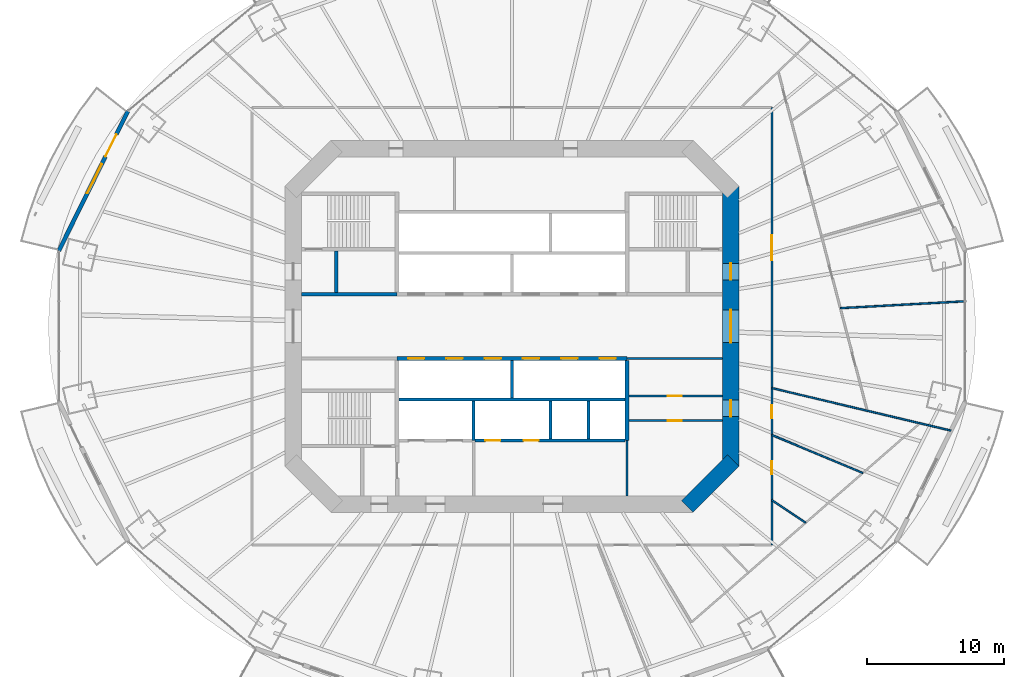
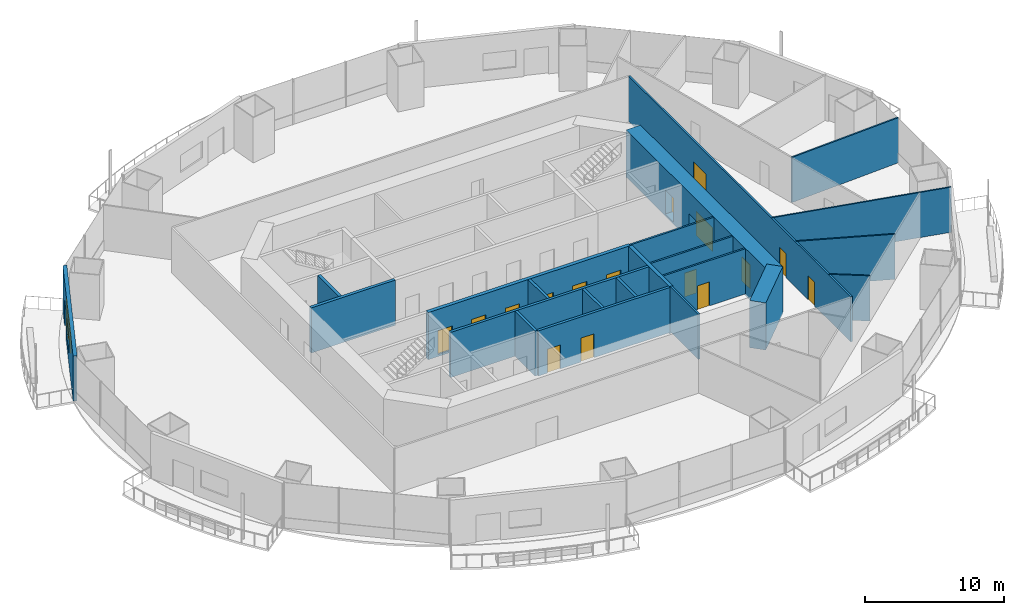
# One storey, part 14 of 21: 22 walls, 17 doors, 1 window, 18 openings.
"""IFC4 building model written with IfcOpenShell, lengths in metres."""

from ifc_helpers import new_model, si_unit, direction, frame, frame_2d, origin, place, context, subcontext, project, spatial, rectangle, extrude, material, layer, layer_set, type_object, element, fill, save


model = new_model("IFC4")

# Units and contexts
model_context = context("Model", 3, precision=1e-05, world=origin(), true_north=direction((0.0, 1.0)))
body_context = subcontext(model_context, "Body", "Model", "MODEL_VIEW")
ifc_project = project(units=[si_unit("LENGTHUNIT", "METRE"), si_unit("AREAUNIT", "SQUARE_METRE"), si_unit("VOLUMEUNIT", "CUBIC_METRE"), si_unit("PLANEANGLEUNIT", "RADIAN"), si_unit("MASSUNIT", "GRAM", prefix="KILO")], contexts=[model_context])

# Site, building, storey
site_placement = place(None, origin())
site = spatial("IfcSite", under=ifc_project, at=site_placement, CompositionType="ELEMENT")
building_placement = place(site_placement, origin())
building = spatial("IfcBuilding", under=site, at=building_placement, Name="Marenthal Gate Tower", CompositionType="ELEMENT")
storey_placement = place(building_placement, frame((0.0, 0.0, 124.300048828125)))
storey = spatial("IfcBuildingStorey", under=building, at=storey_placement, Name="L26", CompositionType="ELEMENT", Elevation=124.300048828125)

# Wall
ifc_material_1 = material(Name="Concrete 60 MPa", Category="concrete")
ifc_layer_1 = layer(ifc_material_1, 1.199951171875)
ifc_layer_set_1 = layer_set([ifc_layer_1], Name="Core shear wall 1200")
wall_type_1 = type_object("IfcWallType", Name="Core shear wall 1200", PredefinedType="SHEAR", material=ifc_layer_set_1)
wall_1_placement = place(storey_placement, frame((12.82421875, -13.17578125, -0.179931640625), z_axis=(0.0, 0.0, 1.0), x_axis=(0.707106781187, 0.707106781187, 0.0)))
element("IfcWall", 1, at=wall_1_placement, inside=storey, type_object=wall_type_1, Name="Core wall 01", PredefinedType="SHEAR", context=body_context, shape_type="SweptSolid", body=[
    extrude(rectangle(XDim=4.73974609375, YDim=1.199951171875, at=frame_2d((2.369873046875, 0.0))), origin(), (0.0, 0.0, 1.0), 4.14990234375),
])

# Wall, openings, doors
wall_2_placement = place(storey_placement, frame((16.0, -10.24853515625, -0.179931640625), z_axis=(0.0, 0.0, 1.0), x_axis=(0.0, 1.0, 0.0)))
wall_2 = element("IfcWall", 2, at=wall_2_placement, inside=storey, type_object=wall_type_1, Name="Core wall 02", PredefinedType="SHEAR", context=body_context, shape_type="SweptSolid", body=[
    extrude(rectangle(XDim=20.4970703125, YDim=1.199951171875, at=frame_2d((10.24853515625, 0.0))), origin(), (0.0, 0.0, 1.0), 4.14990234375),
])
opening_1_placement = place(wall_2_placement, frame((9.048583984375, 0.0, 0.179931640625)))
opening_1 = element("IfcOpeningElement", 3, at=opening_1_placement, cuts=wall_2, Name="Opening D003.02", PredefinedType="OPENING", context=body_context, shape_type="SweptSolid", body=[
    extrude(rectangle(XDim=2.39990234375, YDim=2.10009765625, at=frame_2d((1.199951171875, 1.050048828125))), frame((0.0, 0.60986328125, 0.0), z_axis=(0.0, -1.0, 0.0), x_axis=(1.0, 0.0, 0.0)), (0.0, 0.0, 1.0), 1.219970703125),
])
opening_2_placement = place(wall_2_placement, frame((13.6484375, 0.0, 0.179931640625)))
opening_2 = element("IfcOpeningElement", 4, at=opening_2_placement, cuts=wall_2, Name="Opening D001.05", PredefinedType="OPENING", context=body_context, shape_type="SweptSolid", body=[
    extrude(rectangle(XDim=1.199951171875, YDim=2.10009765625, at=frame_2d((0.60009765625, 1.050048828125))), frame((0.0, 0.60986328125, 0.0), z_axis=(0.0, -1.0, 0.0), x_axis=(1.0, 0.0, 0.0)), (0.0, 0.0, 1.0), 1.219970703125),
])
opening_3_placement = place(wall_2_placement, frame((3.6484375, 0.0, 0.179931640625)))
opening_3 = element("IfcOpeningElement", 5, at=opening_3_placement, cuts=wall_2, Name="Opening D006.01", PredefinedType="OPENING", context=body_context, shape_type="SweptSolid", body=[
    extrude(rectangle(XDim=1.199951171875, YDim=2.10009765625, at=frame_2d((0.60009765625, 1.050048828125))), frame((0.0, 0.60986328125, 0.0), z_axis=(0.0, -1.0, 0.0), x_axis=(1.0, 0.0, 0.0)), (0.0, 0.0, 1.0), 1.219970703125),
])
ifc_material_2 = material(Name="Steel fire door", Category="steel")
door_type_1 = type_object("IfcDoorType", Name="Double fire door FD 45 2400 x 2100", OperationType="DOUBLE_DOOR_SINGLE_SWING", PredefinedType="DOOR", material=ifc_material_2)
door_1_placement = place(opening_1_placement, origin())
door_1 = element("IfcDoor", 6, at=door_1_placement, inside=storey, type_object=door_type_1, Name="Door D003.02", OperationType="DOUBLE_DOOR_SINGLE_SWING", OverallHeight=2.10009765625, OverallWidth=2.39990234375, PredefinedType="DOOR", context=body_context, shape_type="SweptSolid", body=[
    extrude(rectangle(XDim=2.39990234375, YDim=2.10009765625, at=frame_2d((1.199951171875, 1.050048828125))), frame((0.0, 0.02490234375, 0.0), z_axis=(0.0, -1.0, 0.0), x_axis=(1.0, 0.0, 0.0)), (0.0, 0.0, 1.0), 0.050048828125),
])
fill(opening_1, door_1)
ifc_material_3 = material(Name="Steel fire door", Category="steel")
door_type_2 = type_object("IfcDoorType", Name="Fire door FD 45 1200 x 2100", OperationType="NOTDEFINED", PredefinedType="DOOR", material=ifc_material_3)
door_2_placement = place(opening_3_placement, origin())
door_2 = element("IfcDoor", 7, at=door_2_placement, inside=storey, type_object=door_type_2, Name="Door D006.01", OperationType="SINGLE_SWING_RIGHT", OverallHeight=2.10009765625, OverallWidth=1.199951171875, PredefinedType="DOOR", context=body_context, shape_type="SweptSolid", body=[
    extrude(rectangle(XDim=1.199951171875, YDim=2.10009765625, at=frame_2d((0.60009765625, 1.050048828125))), frame((0.0, 0.02490234375, 0.0), z_axis=(0.0, -1.0, 0.0), x_axis=(1.0, 0.0, 0.0)), (0.0, 0.0, 1.0), 0.050048828125),
])
fill(opening_3, door_2)
ifc_material_4 = material(Name="Steel fire door", Category="steel")
door_type_3 = type_object("IfcDoorType", Name="Fire door FD 90 1200 x 2100", OperationType="NOTDEFINED", PredefinedType="DOOR", material=ifc_material_4)
door_3_placement = place(opening_2_placement, origin())
door_3 = element("IfcDoor", 8, at=door_3_placement, inside=storey, type_object=door_type_3, Name="Door D001.05", OperationType="SINGLE_SWING_RIGHT", OverallHeight=2.10009765625, OverallWidth=1.199951171875, PredefinedType="DOOR", context=body_context, shape_type="SweptSolid", body=[
    extrude(rectangle(XDim=1.199951171875, YDim=2.10009765625, at=frame_2d((0.60009765625, 1.050048828125))), frame((0.0, 0.02490234375, 0.0), z_axis=(0.0, -1.0, 0.0), x_axis=(1.0, 0.0, 0.0)), (0.0, 0.0, 1.0), 0.050048828125),
])
fill(opening_2, door_3)

ifc_material_5 = material(Name="Concrete 50 MPa", Category="concrete")
ifc_layer_2 = layer(ifc_material_5, 0.300048828125)
ifc_layer_set_2 = layer_set([ifc_layer_2], Name="Hoistway shear wall 300")
wall_type_2 = type_object("IfcWallType", Name="Hoistway shear wall 300", PredefinedType="SHEAR", material=ifc_layer_set_2)
wall_3_placement = place(storey_placement, frame((-8.39990234375, -2.35009765625, -0.179931640625), z_axis=(0.0, 0.0, 1.0), x_axis=(1.0, 0.0, 0.0)))
wall_3 = element("IfcWall", 9, at=wall_3_placement, inside=storey, type_object=wall_type_2, Name="Hoistway wall 17", PredefinedType="SHEAR", context=body_context, shape_type="SweptSolid", body=[
    extrude(rectangle(XDim=16.7998046875, YDim=0.300048828125, at=frame_2d((8.39990234375, 0.0))), origin(), (0.0, 0.0, 1.0), 4.14990234375),
])
opening_4_placement = place(wall_3_placement, frame((0.800048828125, 0.0, 0.179931640625)))
opening_4 = element("IfcOpeningElement", 10, at=opening_4_placement, cuts=wall_3, Name="Opening LD-LP7", PredefinedType="OPENING", context=body_context, shape_type="SweptSolid", body=[
    extrude(rectangle(XDim=1.199951171875, YDim=2.10009765625, at=frame_2d((0.60009765625, 1.050048828125))), frame((0.0, 0.16015625, 0.0), z_axis=(0.0, -1.0, 0.0), x_axis=(1.0, 0.0, 0.0)), (0.0, 0.0, 1.0), 0.320068359375),
])
opening_5_placement = place(wall_3_placement, frame((3.60009765625, 0.0, 0.179931640625)))
opening_5 = element("IfcOpeningElement", 11, at=opening_5_placement, cuts=wall_3, Name="Opening LD-LP8", PredefinedType="OPENING", context=body_context, shape_type="SweptSolid", body=[
    extrude(rectangle(XDim=1.199951171875, YDim=2.10009765625, at=frame_2d((0.60009765625, 1.050048828125))), frame((0.0, 0.16015625, 0.0), z_axis=(0.0, -1.0, 0.0), x_axis=(1.0, 0.0, 0.0)), (0.0, 0.0, 1.0), 0.320068359375),
])
opening_6_placement = place(wall_3_placement, frame((6.39990234375, 0.0, 0.179931640625)))
opening_6 = element("IfcOpeningElement", 12, at=opening_6_placement, cuts=wall_3, Name="Opening LD-LP9", PredefinedType="OPENING", context=body_context, shape_type="SweptSolid", body=[
    extrude(rectangle(XDim=1.199951171875, YDim=2.10009765625, at=frame_2d((0.60009765625, 1.050048828125))), frame((0.0, 0.16015625, 0.0), z_axis=(0.0, -1.0, 0.0), x_axis=(1.0, 0.0, 0.0)), (0.0, 0.0, 1.0), 0.320068359375),
])
opening_7_placement = place(wall_3_placement, frame((9.199951171875, 0.0, 0.179931640625)))
opening_7 = element("IfcOpeningElement", 13, at=opening_7_placement, cuts=wall_3, Name="Opening LD-LP10", PredefinedType="OPENING", context=body_context, shape_type="SweptSolid", body=[
    extrude(rectangle(XDim=1.199951171875, YDim=2.10009765625, at=frame_2d((0.60009765625, 1.050048828125))), frame((0.0, 0.16015625, 0.0), z_axis=(0.0, -1.0, 0.0), x_axis=(1.0, 0.0, 0.0)), (0.0, 0.0, 1.0), 0.320068359375),
])
opening_8_placement = place(wall_3_placement, frame((12.0, 0.0, 0.179931640625)))
opening_8 = element("IfcOpeningElement", 14, at=opening_8_placement, cuts=wall_3, Name="Opening LD-LP11", PredefinedType="OPENING", context=body_context, shape_type="SweptSolid", body=[
    extrude(rectangle(XDim=1.199951171875, YDim=2.10009765625, at=frame_2d((0.60009765625, 1.050048828125))), frame((0.0, 0.16015625, 0.0), z_axis=(0.0, -1.0, 0.0), x_axis=(1.0, 0.0, 0.0)), (0.0, 0.0, 1.0), 0.320068359375),
])
opening_9_placement = place(wall_3_placement, frame((14.800048828125, 0.0, 0.179931640625)))
opening_9 = element("IfcOpeningElement", 15, at=opening_9_placement, cuts=wall_3, Name="Opening LD-LP12", PredefinedType="OPENING", context=body_context, shape_type="SweptSolid", body=[
    extrude(rectangle(XDim=1.199951171875, YDim=2.10009765625, at=frame_2d((0.60009765625, 1.050048828125))), frame((0.0, 0.16015625, 0.0), z_axis=(0.0, -1.0, 0.0), x_axis=(1.0, 0.0, 0.0)), (0.0, 0.0, 1.0), 0.320068359375),
])
ifc_material_6 = material(Name="Stainless steel sliding door", Category="steel")
door_type_4 = type_object("IfcDoorType", Name="Lift landing door FD 90 1200 x 2100", OperationType="DOUBLE_DOOR_SLIDING", PredefinedType="DOOR", material=ifc_material_6)
door_4_placement = place(opening_4_placement, origin())
door_4 = element("IfcDoor", 16, at=door_4_placement, inside=storey, type_object=door_type_4, Name="Lift landing door LP7", OperationType="DOUBLE_DOOR_SLIDING", OverallHeight=2.10009765625, OverallWidth=1.199951171875, PredefinedType="DOOR", context=body_context, shape_type="SweptSolid", body=[
    extrude(rectangle(XDim=1.199951171875, YDim=2.10009765625, at=frame_2d((0.60009765625, 1.050048828125))), frame((0.0, 0.02490234375, 0.0), z_axis=(0.0, -1.0, 0.0), x_axis=(1.0, 0.0, 0.0)), (0.0, 0.0, 1.0), 0.050048828125),
])
fill(opening_4, door_4)
door_5_placement = place(opening_5_placement, origin())
door_5 = element("IfcDoor", 17, at=door_5_placement, inside=storey, type_object=door_type_4, Name="Lift landing door LP8", OperationType="DOUBLE_DOOR_SLIDING", OverallHeight=2.10009765625, OverallWidth=1.199951171875, PredefinedType="DOOR", context=body_context, shape_type="SweptSolid", body=[
    extrude(rectangle(XDim=1.199951171875, YDim=2.10009765625, at=frame_2d((0.60009765625, 1.050048828125))), frame((0.0, 0.02490234375, 0.0), z_axis=(0.0, -1.0, 0.0), x_axis=(1.0, 0.0, 0.0)), (0.0, 0.0, 1.0), 0.050048828125),
])
fill(opening_5, door_5)
door_6_placement = place(opening_6_placement, origin())
door_6 = element("IfcDoor", 18, at=door_6_placement, inside=storey, type_object=door_type_4, Name="Lift landing door LP9", OperationType="DOUBLE_DOOR_SLIDING", OverallHeight=2.10009765625, OverallWidth=1.199951171875, PredefinedType="DOOR", context=body_context, shape_type="SweptSolid", body=[
    extrude(rectangle(XDim=1.199951171875, YDim=2.10009765625, at=frame_2d((0.60009765625, 1.050048828125))), frame((0.0, 0.02490234375, 0.0), z_axis=(0.0, -1.0, 0.0), x_axis=(1.0, 0.0, 0.0)), (0.0, 0.0, 1.0), 0.050048828125),
])
fill(opening_6, door_6)
door_7_placement = place(opening_7_placement, origin())
door_7 = element("IfcDoor", 19, at=door_7_placement, inside=storey, type_object=door_type_4, Name="Lift landing door LP10", OperationType="DOUBLE_DOOR_SLIDING", OverallHeight=2.10009765625, OverallWidth=1.199951171875, PredefinedType="DOOR", context=body_context, shape_type="SweptSolid", body=[
    extrude(rectangle(XDim=1.199951171875, YDim=2.10009765625, at=frame_2d((0.60009765625, 1.050048828125))), frame((0.0, 0.02490234375, 0.0), z_axis=(0.0, -1.0, 0.0), x_axis=(1.0, 0.0, 0.0)), (0.0, 0.0, 1.0), 0.050048828125),
])
fill(opening_7, door_7)
door_8_placement = place(opening_8_placement, origin())
door_8 = element("IfcDoor", 20, at=door_8_placement, inside=storey, type_object=door_type_4, Name="Lift landing door LP11", OperationType="DOUBLE_DOOR_SLIDING", OverallHeight=2.10009765625, OverallWidth=1.199951171875, PredefinedType="DOOR", context=body_context, shape_type="SweptSolid", body=[
    extrude(rectangle(XDim=1.199951171875, YDim=2.10009765625, at=frame_2d((0.60009765625, 1.050048828125))), frame((0.0, 0.02490234375, 0.0), z_axis=(0.0, -1.0, 0.0), x_axis=(1.0, 0.0, 0.0)), (0.0, 0.0, 1.0), 0.050048828125),
])
fill(opening_8, door_8)
door_9_placement = place(opening_9_placement, origin())
door_9 = element("IfcDoor", 21, at=door_9_placement, inside=storey, type_object=door_type_4, Name="Lift landing door LP12", OperationType="DOUBLE_DOOR_SLIDING", OverallHeight=2.10009765625, OverallWidth=1.199951171875, PredefinedType="DOOR", context=body_context, shape_type="SweptSolid", body=[
    extrude(rectangle(XDim=1.199951171875, YDim=2.10009765625, at=frame_2d((0.60009765625, 1.050048828125))), frame((0.0, 0.02490234375, 0.0), z_axis=(0.0, -1.0, 0.0), x_axis=(1.0, 0.0, 0.0)), (0.0, 0.0, 1.0), 0.050048828125),
])
fill(opening_9, door_9)

# Wall
wall_4_placement = place(storey_placement, frame((8.39990234375, -8.35009765625, -0.179931640625), z_axis=(0.0, 0.0, 1.0), x_axis=(0.0, 1.0, 0.0)))
element("IfcWall", 22, at=wall_4_placement, inside=storey, type_object=wall_type_2, Name="Hoistway wall 43", PredefinedType="SHEAR", context=body_context, shape_type="SweptSolid", body=[
    extrude(rectangle(XDim=5.85009765625, YDim=0.300048828125, at=frame_2d((2.925048828125, 0.0))), origin(), (0.0, 0.0, 1.0), 4.14990234375),
])

# Wall, openings, doors
ifc_material_7 = material(Name="Concrete 40 MPa", Category="concrete")
ifc_layer_3 = layer(ifc_material_7, 0.219970703125)
ifc_layer_set_3 = layer_set([ifc_layer_3], Name="Hoistway wall 220")
wall_type_3 = type_object("IfcWallType", Name="Hoistway wall 220", PredefinedType="STANDARD", material=ifc_layer_set_3)
wall_5_placement = place(storey_placement, frame((-2.68994140625, -8.35009765625, 0.0), z_axis=(0.0, 0.0, 1.0), x_axis=(1.0, 0.0, 0.0)))
wall_5 = element("IfcWall", 23, at=wall_5_placement, inside=storey, type_object=wall_type_3, Name="Hoistway wall 11", PredefinedType="STANDARD", context=body_context, shape_type="SweptSolid", body=[
    extrude(rectangle(XDim=10.93994140625, YDim=0.219970703125, at=frame_2d((5.469970703125, 0.0))), origin(), (0.0, 0.0, 1.0), 3.969970703125),
])
opening_10_placement = place(wall_5_placement, frame((0.739990234375, 0.0, 0.0)))
opening_10 = element("IfcOpeningElement", 24, at=opening_10_placement, cuts=wall_5, Name="Opening LD-SV1", PredefinedType="OPENING", context=body_context, shape_type="SweptSolid", body=[
    extrude(rectangle(XDim=1.10009765625, YDim=2.10009765625, at=frame_2d((0.550048828125, 1.050048828125))), frame((0.0, 0.1201171875, 0.0), z_axis=(0.0, -1.0, 0.0), x_axis=(1.0, 0.0, 0.0)), (0.0, 0.0, 1.0), 0.239990234375),
])
opening_11_placement = place(wall_5_placement, frame((3.5400390625, 0.0, 0.0)))
opening_11 = element("IfcOpeningElement", 25, at=opening_11_placement, cuts=wall_5, Name="Opening LD-SV2", PredefinedType="OPENING", context=body_context, shape_type="SweptSolid", body=[
    extrude(rectangle(XDim=1.10009765625, YDim=2.10009765625, at=frame_2d((0.550048828125, 1.050048828125))), frame((0.0, 0.1201171875, 0.0), z_axis=(0.0, -1.0, 0.0), x_axis=(1.0, 0.0, 0.0)), (0.0, 0.0, 1.0), 0.239990234375),
])
ifc_material_8 = material(Name="Stainless steel sliding door", Category="steel")
door_type_5 = type_object("IfcDoorType", Name="Lift landing door FD 90 1100 x 2100", OperationType="DOUBLE_DOOR_SLIDING", PredefinedType="DOOR", material=ifc_material_8)
door_10_placement = place(opening_10_placement, origin())
door_10 = element("IfcDoor", 26, at=door_10_placement, inside=storey, type_object=door_type_5, Name="Lift landing door SV1", OperationType="DOUBLE_DOOR_SLIDING", OverallHeight=2.10009765625, OverallWidth=1.10009765625, PredefinedType="DOOR", context=body_context, shape_type="SweptSolid", body=[
    extrude(rectangle(XDim=1.10009765625, YDim=2.10009765625, at=frame_2d((0.550048828125, 1.050048828125))), frame((0.0, 0.02490234375, 0.0), z_axis=(0.0, -1.0, 0.0), x_axis=(1.0, 0.0, 0.0)), (0.0, 0.0, 1.0), 0.050048828125),
])
fill(opening_10, door_10)
door_11_placement = place(opening_11_placement, origin())
door_11 = element("IfcDoor", 27, at=door_11_placement, inside=storey, type_object=door_type_5, Name="Lift landing door SV2", OperationType="DOUBLE_DOOR_SLIDING", OverallHeight=2.10009765625, OverallWidth=1.10009765625, PredefinedType="DOOR", context=body_context, shape_type="SweptSolid", body=[
    extrude(rectangle(XDim=1.10009765625, YDim=2.10009765625, at=frame_2d((0.550048828125, 1.050048828125))), frame((0.0, 0.02490234375, 0.0), z_axis=(0.0, -1.0, 0.0), x_axis=(1.0, 0.0, 0.0)), (0.0, 0.0, 1.0), 0.050048828125),
])
fill(opening_11, door_11)

# Walls
wall_6_placement = place(storey_placement, frame((-8.25, -5.35009765625, 0.0), z_axis=(0.0, 0.0, 1.0), x_axis=(1.0, 0.0, 0.0)))
element("IfcWall", 28, at=wall_6_placement, inside=storey, type_object=wall_type_3, Name="Hoistway wall 13", PredefinedType="STANDARD", context=body_context, shape_type="SweptSolid", body=[
    extrude(rectangle(XDim=16.5, YDim=0.219970703125, at=frame_2d((8.25, 0.0))), origin(), (0.0, 0.0, 1.0), 3.969970703125),
])
wall_7_placement = place(storey_placement, frame((-2.800048828125, -8.35009765625, 0.0), z_axis=(0.0, 0.0, 1.0), x_axis=(0.0, 1.0, 0.0)))
element("IfcWall", 29, at=wall_7_placement, inside=storey, type_object=wall_type_3, Name="Hoistway wall 36", PredefinedType="STANDARD", context=body_context, shape_type="SweptSolid", body=[
    extrude(rectangle(XDim=2.89013671875, YDim=0.219970703125, at=frame_2d((1.445068359375, 0.0))), origin(), (0.0, 0.0, 1.0), 3.969970703125),
])
wall_8_placement = place(storey_placement, frame((0.0, -5.239990234375, 0.0), z_axis=(0.0, 0.0, 1.0), x_axis=(0.0, 1.0, 0.0)))
element("IfcWall", 30, at=wall_8_placement, inside=storey, type_object=wall_type_3, Name="Hoistway wall 37", PredefinedType="STANDARD", context=body_context, shape_type="SweptSolid", body=[
    extrude(rectangle(XDim=2.739990234375, YDim=0.219970703125, at=frame_2d((1.3701171875, 0.0))), origin(), (0.0, 0.0, 1.0), 3.969970703125),
])
for number, where, z_axis, x_axis, name in (
    (31, (2.800048828125, -8.239990234375, 0.0), (0.0, 0.0, 1.0), (0.0, 1.0, 0.0), "Hoistway wall 39"),
    (32, (5.60009765625, -8.239990234375, 0.0), (0.0, 0.0, 1.0), (0.0, 1.0, 0.0), "Hoistway wall 41"),
):
    element("IfcWall", number, at=place(storey_placement, frame(where, z_axis=z_axis, x_axis=x_axis)), inside=storey, type_object=wall_type_3, Name=name, PredefinedType="STANDARD", context=body_context, shape_type="SweptSolid", body=[
        extrude(rectangle(XDim=2.780029296875, YDim=0.219970703125, at=frame_2d((1.39013671875, 0.0))), origin(), (0.0, 0.0, 1.0), 3.969970703125),
    ])
ifc_material_9 = material(Name="Gypsum board on steel studs", Category="steel")
ifc_layer_4 = layer(ifc_material_9, 0.1201171875)
ifc_layer_set_4 = layer_set([ifc_layer_4], Name="Partition 120")
wall_type_4 = type_object("IfcWallType", Name="Partition 120", PredefinedType="PARTITIONING", material=ifc_layer_set_4)
wall_9_placement = place(storey_placement, frame((19.0, -4.5146484375, 0.0), z_axis=(0.0, 0.0, 1.0), x_axis=(0.972908867851, -0.231188959202, 0.0)))
element("IfcWall", 33, at=wall_9_placement, inside=storey, type_object=wall_type_4, Name="Partition wall 56", PredefinedType="PARTITIONING", context=body_context, shape_type="SweptSolid", body=[
    extrude(rectangle(XDim=13.461181640625, YDim=0.1201171875, at=frame_2d((6.73046875, 0.0))), origin(), (0.0, 0.0, 1.0), 3.969970703125),
])
wall_10_placement = place(storey_placement, frame((21.4765625, -14.363037109375, 0.0), z_axis=(0.0, 0.0, 1.0), x_axis=(-0.831242578358, 0.555909863129, 0.0)))
element("IfcWall", 34, at=wall_10_placement, inside=storey, type_object=wall_type_4, Name="Partition wall 58", PredefinedType="PARTITIONING", context=body_context, shape_type="SweptSolid", body=[
    extrude(rectangle(XDim=2.979248046875, YDim=0.1201171875, at=frame_2d((1.48974609375, 0.0))), origin(), (0.0, 0.0, 1.0), 3.969970703125),
])
wall_11_placement = place(storey_placement, frame((25.653076171875, -10.7255859375, 0.0), z_axis=(0.0, 0.0, 1.0), x_axis=(-0.922602442877, 0.385752164476, 0.0)))
element("IfcWall", 35, at=wall_11_placement, inside=storey, type_object=wall_type_4, Name="Partition wall 60", PredefinedType="PARTITIONING", context=body_context, shape_type="SweptSolid", body=[
    extrude(rectangle(XDim=7.211181640625, YDim=0.1201171875, at=frame_2d((3.60546875, 0.0))), origin(), (0.0, 0.0, 1.0), 3.969970703125),
])
wall_12_placement = place(storey_placement, frame((33.134765625, 1.831787109375, 0.0), z_axis=(0.0, 0.0, 1.0), x_axis=(-0.998475116473, -0.055203639227, 0.0)))
element("IfcWall", 36, at=wall_12_placement, inside=storey, type_object=wall_type_4, Name="Partition wall 63", PredefinedType="PARTITIONING", context=body_context, shape_type="SweptSolid", body=[
    extrude(rectangle(XDim=9.136962890625, YDim=0.1201171875, at=frame_2d((4.568359375, 0.0))), origin(), (0.0, 0.0, 1.0), 3.969970703125),
])

# Wall, opening, door
ifc_material_10 = material(Name="Gypsum board on steel studs", Category="steel")
ifc_layer_5 = layer(ifc_material_10, 0.14990234375)
ifc_layer_set_5 = layer_set([ifc_layer_5], Name="Partition 150")
wall_type_5 = type_object("IfcWallType", Name="Partition 150", PredefinedType="PARTITIONING", material=ifc_layer_set_5)
wall_13_placement = place(storey_placement, frame((8.550048828125, -6.89990234375, 0.0), z_axis=(0.0, 0.0, 1.0), x_axis=(1.0, 0.0, 0.0)))
wall_13 = element("IfcWall", 37, at=wall_13_placement, inside=storey, type_object=wall_type_5, Name="Partition wall 12", PredefinedType="PARTITIONING", context=body_context, shape_type="SweptSolid", body=[
    extrude(rectangle(XDim=6.849853515625, YDim=0.14990234375, at=frame_2d((3.4248046875, 0.0))), origin(), (0.0, 0.0, 1.0), 3.969970703125),
])
opening_12_placement = place(wall_13_placement, frame((2.85009765625, 0.0, 0.0)))
opening_12 = element("IfcOpeningElement", 38, at=opening_12_placement, cuts=wall_13, Name="Opening D005.04", PredefinedType="OPENING", context=body_context, shape_type="SweptSolid", body=[
    extrude(rectangle(XDim=1.0, YDim=2.10009765625, at=frame_2d((0.5, 1.050048828125))), frame((0.0, 0.0849609375, 0.0), z_axis=(0.0, -1.0, 0.0), x_axis=(1.0, 0.0, 0.0)), (0.0, 0.0, 1.0), 0.169921875),
])
ifc_material_11 = material(Name="Steel fire door", Category="steel")
door_type_6 = type_object("IfcDoorType", Name="Fire door FD 45 1000 x 2100", OperationType="NOTDEFINED", PredefinedType="DOOR", material=ifc_material_11)
door_12_placement = place(opening_12_placement, frame((1.0, 0.0, 0.0), z_axis=(0.0, 0.0, 1.0), x_axis=(-1.0, 0.0, 0.0)))
door_12 = element("IfcDoor", 39, at=door_12_placement, inside=storey, type_object=door_type_6, Name="Door D005.04", OperationType="SINGLE_SWING_LEFT", OverallHeight=2.10009765625, OverallWidth=1.0, PredefinedType="DOOR", context=body_context, shape_type="SweptSolid", body=[
    extrude(rectangle(XDim=1.0, YDim=2.10009765625, at=frame_2d((0.5, 1.050048828125))), frame((0.0, 0.02490234375, 0.0), z_axis=(0.0, -1.0, 0.0), x_axis=(1.0, 0.0, 0.0)), (0.0, 0.0, 1.0), 0.050048828125),
])
fill(opening_12, door_12)

wall_14_placement = place(storey_placement, frame((8.550048828125, -5.10009765625, 0.0), z_axis=(0.0, 0.0, 1.0), x_axis=(1.0, 0.0, 0.0)))
wall_14 = element("IfcWall", 40, at=wall_14_placement, inside=storey, type_object=wall_type_5, Name="Partition wall 14", PredefinedType="PARTITIONING", context=body_context, shape_type="SweptSolid", body=[
    extrude(rectangle(XDim=6.849853515625, YDim=0.14990234375, at=frame_2d((3.4248046875, 0.0))), origin(), (0.0, 0.0, 1.0), 3.969970703125),
])
opening_13_placement = place(wall_14_placement, frame((2.85009765625, 0.0, 0.0)))
opening_13 = element("IfcOpeningElement", 41, at=opening_13_placement, cuts=wall_14, Name="Opening D005.03", PredefinedType="OPENING", context=body_context, shape_type="SweptSolid", body=[
    extrude(rectangle(XDim=1.0, YDim=2.10009765625, at=frame_2d((0.5, 1.050048828125))), frame((0.0, 0.0849609375, 0.0), z_axis=(0.0, -1.0, 0.0), x_axis=(1.0, 0.0, 0.0)), (0.0, 0.0, 1.0), 0.169921875),
])
door_13_placement = place(opening_13_placement, origin())
door_13 = element("IfcDoor", 42, at=door_13_placement, inside=storey, type_object=door_type_6, Name="Door D005.03", OperationType="SINGLE_SWING_RIGHT", OverallHeight=2.10009765625, OverallWidth=1.0, PredefinedType="DOOR", context=body_context, shape_type="SweptSolid", body=[
    extrude(rectangle(XDim=1.0, YDim=2.10009765625, at=frame_2d((0.5, 1.050048828125))), frame((0.0, 0.02490234375, 0.0), z_axis=(0.0, -1.0, 0.0), x_axis=(1.0, 0.0, 0.0)), (0.0, 0.0, 1.0), 0.050048828125),
])
fill(opening_13, door_13)

# Walls
wall_15_placement = place(storey_placement, frame((8.39990234375, -2.35009765625, 0.0), z_axis=(0.0, 0.0, 1.0), x_axis=(1.0, 0.0, 0.0)))
element("IfcWall", 43, at=wall_15_placement, inside=storey, type_object=wall_type_5, Name="Partition wall 18", PredefinedType="PARTITIONING", context=body_context, shape_type="SweptSolid", body=[
    extrude(rectangle(XDim=7.0, YDim=0.14990234375, at=frame_2d((3.5, 0.0))), origin(), (0.0, 0.0, 1.0), 3.969970703125),
])
wall_16_placement = place(storey_placement, frame((8.39990234375, -12.39990234375, 0.0), z_axis=(0.0, 0.0, 1.0), x_axis=(0.0, 1.0, 0.0)))
element("IfcWall", 44, at=wall_16_placement, inside=storey, type_object=wall_type_5, Name="Partition wall 42", PredefinedType="PARTITIONING", context=body_context, shape_type="SweptSolid", body=[
    extrude(rectangle(XDim=4.0498046875, YDim=0.14990234375, at=frame_2d((2.02490234375, 0.0))), origin(), (0.0, 0.0, 1.0), 3.969970703125),
])

# Wall, openings, doors
wall_17_placement = place(storey_placement, frame((19.0, 16.0, 0.0), z_axis=(0.0, 0.0, 1.0), x_axis=(0.0, -1.0, 0.0)))
wall_17 = element("IfcWall", 45, at=wall_17_placement, inside=storey, type_object=wall_type_5, Name="Partition wall 57", PredefinedType="PARTITIONING", context=body_context, shape_type="SweptSolid", body=[
    extrude(rectangle(XDim=32.0, YDim=0.14990234375, at=frame_2d((16.0, 0.0))), origin(), (0.0, 0.0, 1.0), 3.969970703125),
])
opening_14_placement = place(wall_17_placement, frame((25.85107421875, 0.0, 0.0)))
opening_14 = element("IfcOpeningElement", 46, at=opening_14_placement, cuts=wall_17, Name="Opening D016.03", PredefinedType="OPENING", context=body_context, shape_type="SweptSolid", body=[
    extrude(rectangle(XDim=0.949951171875, YDim=2.10009765625, at=frame_2d((0.47509765625, 1.050048828125))), frame((0.0, 0.0849609375, 0.0), z_axis=(0.0, -1.0, 0.0), x_axis=(1.0, 0.0, 0.0)), (0.0, 0.0, 1.0), 0.169921875),
])
opening_15_placement = place(wall_17_placement, frame((21.7548828125, 0.0, 0.0)))
opening_15 = element("IfcOpeningElement", 47, at=opening_15_placement, cuts=wall_17, Name="Opening D016.04", PredefinedType="OPENING", context=body_context, shape_type="SweptSolid", body=[
    extrude(rectangle(XDim=0.949951171875, YDim=2.10009765625, at=frame_2d((0.47509765625, 1.050048828125))), frame((0.0, 0.0849609375, 0.0), z_axis=(0.0, -1.0, 0.0), x_axis=(1.0, 0.0, 0.0)), (0.0, 0.0, 1.0), 0.169921875),
])
opening_16_placement = place(wall_17_placement, frame((9.35791015625, 0.0, 0.0)))
opening_16 = element("IfcOpeningElement", 48, at=opening_16_placement, cuts=wall_17, Name="Opening D014.03", PredefinedType="OPENING", context=body_context, shape_type="SweptSolid", body=[
    extrude(rectangle(XDim=1.800048828125, YDim=2.10009765625, at=frame_2d((0.89990234375, 1.050048828125))), frame((0.0, 0.0849609375, 0.0), z_axis=(0.0, -1.0, 0.0), x_axis=(1.0, 0.0, 0.0)), (0.0, 0.0, 1.0), 0.169921875),
])
ifc_material_12 = material(Name="Timber door", Category="wood")
door_type_7 = type_object("IfcDoorType", Name="Door 950 x 2100", OperationType="NOTDEFINED", PredefinedType="DOOR", material=ifc_material_12)
door_14_placement = place(opening_14_placement, origin())
door_14 = element("IfcDoor", 49, at=door_14_placement, inside=storey, type_object=door_type_7, Name="Door D016.03", OperationType="SINGLE_SWING_RIGHT", OverallHeight=2.10009765625, OverallWidth=0.949951171875, PredefinedType="DOOR", context=body_context, shape_type="SweptSolid", body=[
    extrude(rectangle(XDim=0.949951171875, YDim=2.10009765625, at=frame_2d((0.47509765625, 1.050048828125))), frame((0.0, 0.02490234375, 0.0), z_axis=(0.0, -1.0, 0.0), x_axis=(1.0, 0.0, 0.0)), (0.0, 0.0, 1.0), 0.050048828125),
])
fill(opening_14, door_14)
door_15_placement = place(opening_15_placement, origin())
door_15 = element("IfcDoor", 50, at=door_15_placement, inside=storey, type_object=door_type_7, Name="Door D016.04", OperationType="SINGLE_SWING_RIGHT", OverallHeight=2.10009765625, OverallWidth=0.949951171875, PredefinedType="DOOR", context=body_context, shape_type="SweptSolid", body=[
    extrude(rectangle(XDim=0.949951171875, YDim=2.10009765625, at=frame_2d((0.47509765625, 1.050048828125))), frame((0.0, 0.02490234375, 0.0), z_axis=(0.0, -1.0, 0.0), x_axis=(1.0, 0.0, 0.0)), (0.0, 0.0, 1.0), 0.050048828125),
])
fill(opening_15, door_15)
ifc_material_13 = material(Name="Timber door", Category="wood")
door_type_8 = type_object("IfcDoorType", Name="Double door 1800 x 2100", OperationType="DOUBLE_DOOR_SINGLE_SWING", PredefinedType="DOOR", material=ifc_material_13)
door_16_placement = place(opening_16_placement, origin())
door_16 = element("IfcDoor", 51, at=door_16_placement, inside=storey, type_object=door_type_8, Name="Door D014.03", OperationType="DOUBLE_DOOR_SINGLE_SWING", OverallHeight=2.10009765625, OverallWidth=1.800048828125, PredefinedType="DOOR", context=body_context, shape_type="SweptSolid", body=[
    extrude(rectangle(XDim=1.800048828125, YDim=2.10009765625, at=frame_2d((0.89990234375, 1.050048828125))), frame((0.0, 0.02490234375, 0.0), z_axis=(0.0, -1.0, 0.0), x_axis=(1.0, 0.0, 0.0)), (0.0, 0.0, 1.0), 0.050048828125),
])
fill(opening_16, door_16)

# Walls
ifc_material_14 = material(Name="Concrete 40 MPa", Category="concrete")
ifc_layer_6 = layer(ifc_material_14, 0.25)
ifc_layer_set_6 = layer_set([ifc_layer_6], Name="Stair enclosure wall 250")
wall_type_6 = type_object("IfcWallType", Name="Stair enclosure wall 250", PredefinedType="STANDARD", material=ifc_layer_set_6)
wall_18_placement = place(storey_placement, frame((-15.39990234375, 2.35009765625, 0.0), z_axis=(0.0, 0.0, 1.0), x_axis=(1.0, 0.0, 0.0)))
element("IfcWall", 52, at=wall_18_placement, inside=storey, type_object=wall_type_6, Name="Stair wall 19", PredefinedType="STANDARD", context=body_context, shape_type="SweptSolid", body=[
    extrude(rectangle(XDim=7.0, YDim=0.25, at=frame_2d((3.5, 0.0))), origin(), (0.0, 0.0, 1.0), 3.969970703125),
])
wall_19_placement = place(storey_placement, frame((-12.85009765625, 2.47509765625, 0.0), z_axis=(0.0, 0.0, 1.0), x_axis=(0.0, 1.0, 0.0)))
element("IfcWall", 53, at=wall_19_placement, inside=storey, type_object=wall_type_6, Name="Stair wall 28", PredefinedType="STANDARD", context=body_context, shape_type="SweptSolid", body=[
    extrude(rectangle(XDim=3.0498046875, YDim=0.25, at=frame_2d((1.52490234375, 0.0))), origin(), (0.0, 0.0, 1.0), 3.969970703125),
])

# Wall, openings, door, window
ifc_material_15 = material(Name="Terracotta cladding on insulated concrete-block backing", Category="masonry")
ifc_layer_7 = layer(ifc_material_15, 0.300048828125)
ifc_layer_set_7 = layer_set([ifc_layer_7], Name="Terracotta facade wall 300")
wall_type_7 = type_object("IfcWallType", Name="Terracotta facade wall 300", PredefinedType="SOLIDWALL", material=ifc_layer_set_7)
wall_20_placement = place(storey_placement, frame((-28.09033203125, 15.73486328125, 0.0), z_axis=(0.0, 0.0, 1.0), x_axis=(-0.442972236493, -0.896535329865, 0.0)))
wall_20 = element("IfcWall", 54, at=wall_20_placement, inside=storey, type_object=wall_type_7, Name="Terracotta facade wall L26 bay 7", PredefinedType="SOLIDWALL", context=body_context, shape_type="SweptSolid", body=[
    extrude(rectangle(XDim=11.3876953125, YDim=0.300048828125, at=frame_2d((5.69384765625, 0.0))), origin(), (0.0, 0.0, 1.0), 3.969970703125),
])
opening_17_placement = place(wall_20_placement, frame((1.89990234375, 0.0, 0.0)))
opening_17 = element("IfcOpeningElement", 55, at=opening_17_placement, cuts=wall_20, Name="Opening BD-L26-07", PredefinedType="OPENING", context=body_context, shape_type="SweptSolid", body=[
    extrude(rectangle(XDim=1.800048828125, YDim=2.39990234375, at=frame_2d((0.89990234375, 1.199951171875))), frame((0.0, 0.16015625, 0.0), z_axis=(0.0, -1.0, 0.0), x_axis=(1.0, 0.0, 0.0)), (0.0, 0.0, 1.0), 0.320068359375),
])
opening_18_placement = place(wall_20_placement, frame((4.300048828125, 0.0, 0.89990234375)))
opening_18 = element("IfcOpeningElement", 56, at=opening_18_placement, cuts=wall_20, Name="Opening WN1-L26-07", PredefinedType="OPENING", context=body_context, shape_type="SweptSolid", body=[
    extrude(rectangle(XDim=2.39990234375, YDim=1.5, at=frame_2d((1.199951171875, 0.75))), frame((0.0, 0.16015625, 0.0), z_axis=(0.0, -1.0, 0.0), x_axis=(1.0, 0.0, 0.0)), (0.0, 0.0, 1.0), 0.320068359375),
])
ifc_material_16 = material(Name="Aluminium and glass", Category="aluminium")
door_type_9 = type_object("IfcDoorType", Name="Balcony door 1800x2400", OperationType="DOUBLE_DOOR_SINGLE_SWING", PredefinedType="DOOR", material=ifc_material_16)
door_17_placement = place(opening_17_placement, origin())
door_17 = element("IfcDoor", 57, at=door_17_placement, inside=storey, type_object=door_type_9, Name="Balcony door L26 bay 7", OperationType="SINGLE_SWING_LEFT", OverallHeight=2.39990234375, OverallWidth=1.800048828125, PredefinedType="DOOR", context=body_context, shape_type="SweptSolid", body=[
    extrude(rectangle(XDim=1.800048828125, YDim=2.39990234375, at=frame_2d((0.89990234375, 1.199951171875))), frame((0.0, 0.02490234375, 0.0), z_axis=(0.0, -1.0, 0.0), x_axis=(1.0, 0.0, 0.0)), (0.0, 0.0, 1.0), 0.050048828125),
])
fill(opening_17, door_17)
ifc_material_17 = material(Name="Aluminium and glass", Category="aluminium")
window_type = type_object("IfcWindowType", Name="Window 2400x1500", PartitioningType="TRIPLE_PANEL_VERTICAL", PredefinedType="WINDOW", material=ifc_material_17)
window_placement = place(opening_18_placement, origin())
window = element("IfcWindow", 58, at=window_placement, inside=storey, type_object=window_type, Name="Window L26 bay 7", OverallHeight=1.5, OverallWidth=2.39990234375, PartitioningType="SINGLE_PANEL", PredefinedType="WINDOW", context=body_context, shape_type="SweptSolid", body=[
    extrude(rectangle(XDim=2.39990234375, YDim=1.5, at=frame_2d((1.199951171875, 0.75))), frame((0.0, 0.030029296875, 0.0), z_axis=(0.0, -1.0, 0.0), x_axis=(1.0, 0.0, 0.0)), (0.0, 0.0, 1.0), 0.06005859375),
])
fill(opening_18, window)

save(model, "model.ifc")
